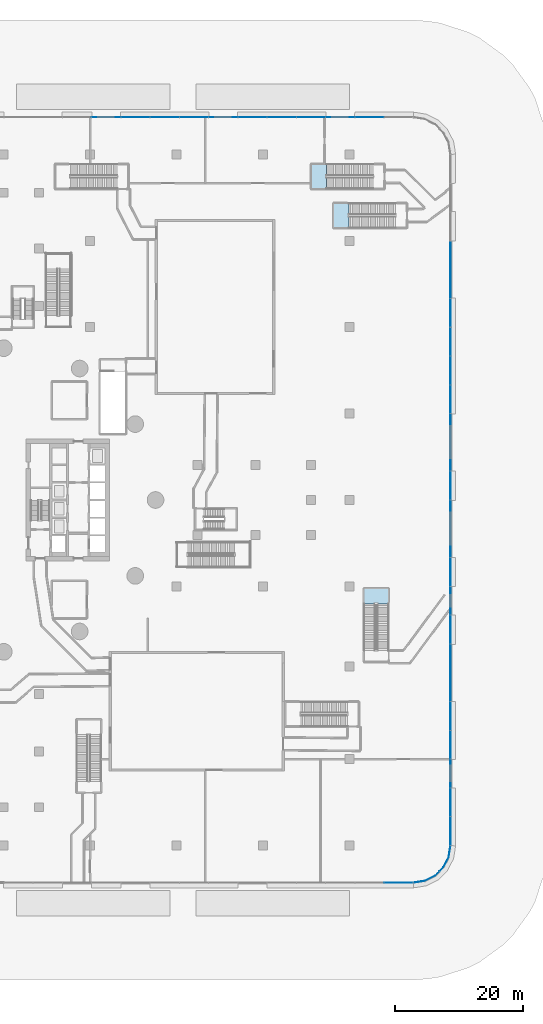
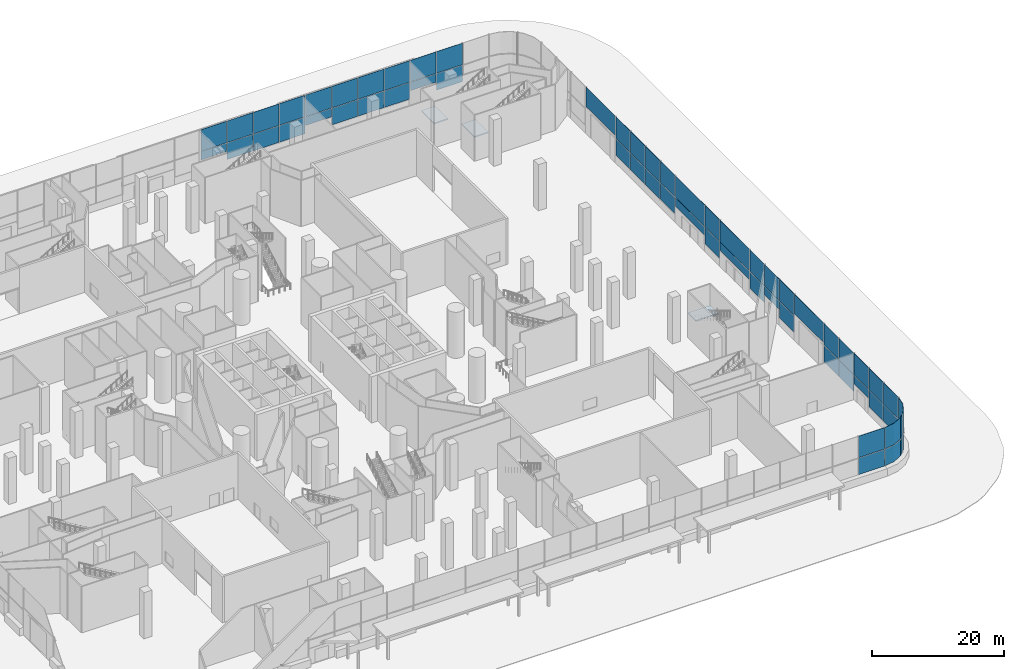
# One storey, part 19 of 54: 58 plates, 3 slabs, 7 elements without a shape of their own.
"""IFC4 building model written with IfcOpenShell, lengths in metres."""

import ifcopenshell
import ifcopenshell.guid

model = None  # the IFC model being written
_history = None  # IfcOwnerHistory: only IFC2X3 demands one
_inside = {}  # id of a spatial element -> (the spatial element, [elements in it])
_under = {}  # id of a project, library or spatial element -> (it, [spatial elements below it])
_declared = {}  # id of a project -> (the project, [libraries it declares])
_typed = {}  # id of a type object -> (the type object, [elements of that type])
_made_of = {}  # id of a material, layer set ... -> (it, [elements and type objects made of it])


def new_model(schema):
    """Start an empty IFC model of exactly this schema.

    Asked for "IFC4X3", IfcOpenShell would pick the latest addendum, in which some entities
    have other attributes; the version numbers below select the first issue.
    IFC2X3 requires an IfcOwnerHistory on every rooted entity: one is made here for all.
    """
    global model, _history
    if schema == "IFC4X3":
        model = ifcopenshell.file(schema_version=(4, 3, 0, 0))
    else:
        model = ifcopenshell.file(schema=schema)
    _inside.clear()
    _under.clear()
    _declared.clear()
    _typed.clear()
    _made_of.clear()
    _history = None
    if model.schema == "IFC2X3":
        org = make("IfcOrganization", Name="unknown")
        user = make(
            "IfcPersonAndOrganization",
            ThePerson=make("IfcPerson", FamilyName="unknown"),
            TheOrganization=org,
        )
        app = make(
            "IfcApplication",
            ApplicationDeveloper=org,
            Version="unknown",
            ApplicationFullName="unknown",
            ApplicationIdentifier="unknown",
        )
        _history = make(
            "IfcOwnerHistory",
            OwningUser=user,
            OwningApplication=app,
            ChangeAction="ADDED",
            CreationDate=0,
        )
    return model


def make(cls, **values):
    """One entity of the class cls with the attributes given. An attribute that is None is left unset."""
    return model.create_entity(
        cls, **{name: value for name, value in values.items() if value is not None}
    )


def rooted(cls, **values):
    """An entity with a GlobalId (a new one), such as an element, a storey or a relation."""
    return make(cls, GlobalId=ifcopenshell.guid.new(), OwnerHistory=_history, **values)


def si_unit(unit_type, name, prefix=None):
    """IfcSIUnit, for example si_unit("LENGTHUNIT", "METRE", prefix="MILLI")."""
    return make("IfcSIUnit", UnitType=unit_type, Prefix=prefix, Name=name)


def assignment(units):
    """IfcUnitAssignment: the units of a project."""
    return None if units is None else make("IfcUnitAssignment", Units=units)


def point(xyz):
    """IfcCartesianPoint."""
    return None if xyz is None else make("IfcCartesianPoint", Coordinates=xyz)


def direction(xyz):
    """IfcDirection."""
    return None if xyz is None else make("IfcDirection", DirectionRatios=xyz)


def frame(location, z_axis=None, x_axis=None):
    """IfcAxis2Placement3D, a coordinate frame: its origin and axes. An axis left out is left unset."""
    return make(
        "IfcAxis2Placement3D",
        Location=point(location),
        Axis=direction(z_axis),
        RefDirection=direction(x_axis),
    )


def origin():
    """The frame at (0, 0, 0) with its axes left unset."""
    return frame((0.0, 0.0, 0.0))


def place(relative_to, where):
    """IfcLocalPlacement: puts the frame where relative to a parent placement (None: the world)."""
    return make(
        "IfcLocalPlacement", PlacementRelTo=relative_to, RelativePlacement=where
    )


def context(
    kind, dimensions, precision=None, world=None, true_north=None, identifier=None
):
    """IfcGeometricRepresentationContext, for example the 3D "Model" context."""
    return make(
        "IfcGeometricRepresentationContext",
        ContextIdentifier=identifier,
        ContextType=kind,
        CoordinateSpaceDimension=dimensions,
        Precision=precision,
        WorldCoordinateSystem=world,
        TrueNorth=true_north,
    )


def subcontext(parent, identifier, kind, view, scale=None):
    """IfcGeometricRepresentationSubContext, for example "Body" below "Model"."""
    return make(
        "IfcGeometricRepresentationSubContext",
        ContextIdentifier=identifier,
        ContextType=kind,
        ParentContext=parent,
        TargetScale=scale,
        TargetView=view,
    )


def project(units=None, contexts=None):
    """IfcProject with its units and contexts."""
    return rooted(
        "IfcProject",
        Name="project",
        RepresentationContexts=contexts,
        UnitsInContext=assignment(units),
    )


def spatial(cls, under=None, at=None, **own):
    """A site, building, storey or space (cls), placed at a placement, below another one or the project."""
    s = rooted(cls, ObjectPlacement=at, **own)
    if under is not None:
        _under.setdefault(under.id(), (under, []))[1].append(s)
    return s


def polyline(points):
    """IfcPolyline through the points."""
    return make("IfcPolyline", Points=[point(p) for p in points])


def outline(outer, holes=None, kind="AREA"):
    """IfcArbitraryClosedProfileDef: a profile drawn as a closed curve; with holes, ...WithVoids."""
    if holes is None:
        return make("IfcArbitraryClosedProfileDef", ProfileType=kind, OuterCurve=outer)
    return make(
        "IfcArbitraryProfileDefWithVoids",
        ProfileType=kind,
        OuterCurve=outer,
        InnerCurves=holes,
    )


def extrude(swept, where, along, depth):
    """IfcExtrudedAreaSolid: the profile swept, set in the frame where, extruded along a direction by depth."""
    return make(
        "IfcExtrudedAreaSolid",
        SweptArea=swept,
        Position=where,
        ExtrudedDirection=direction(along),
        Depth=depth,
    )


def shape(context_of_items, identifier, shape_type, items):
    """IfcShapeRepresentation: the items that make up one representation, for example the "Body"."""
    return make(
        "IfcShapeRepresentation",
        ContextOfItems=context_of_items,
        RepresentationIdentifier=identifier,
        RepresentationType=shape_type,
        Items=items,
    )


def material(Name=None, Category=None):
    """IfcMaterial."""
    return make("IfcMaterial", Name=Name, Category=Category)


def layer(
    of_material, thickness, ventilated=None, Name=None, Category=None, Priority=None
):
    """IfcMaterialLayer: one layer of a wall or slab, of a material (None: an air gap)."""
    return make(
        "IfcMaterialLayer",
        Material=of_material,
        LayerThickness=thickness,
        IsVentilated=ventilated,
        Name=Name,
        Category=Category,
        Priority=Priority,
    )


def layer_set(layers, Name=None):
    """IfcMaterialLayerSet."""
    return make("IfcMaterialLayerSet", MaterialLayers=layers, LayerSetName=Name)


def made_of(thing, what):
    """Note that an element or type object is made of a material, layer set ...; save() writes the relation."""
    if what is not None:
        _made_of.setdefault(what.id(), (what, []))[1].append(thing)
    return thing


def type_object(cls, material=None, **own):
    """A type object (cls), such as IfcWallType, which elements share."""
    return made_of(rooted(cls, **own), material)


def element(
    cls,
    number,
    at=None,
    inside=None,
    cuts=None,
    type_object=None,
    material=None,
    context=None,
    identifier="Body",
    shape_type=None,
    held_by="IfcProductDefinitionShape",
    body=None,
    shapes=None,
    **own,
):
    """One element of the class cls, such as IfcWall. Its Tag is "e" and its number.

    at: its placement. inside: the storey or other place that contains it. cuts: it is an
    opening in that element (IfcRelVoidsElement). A single representation is given by context,
    identifier, shape_type and body (its items); several are given by shapes. held_by: the class
    of the entity that holds the representations. save() writes the other relations.
    """
    e = rooted(cls, Tag="e%d" % number, ObjectPlacement=at, **own)
    if body is not None:
        shapes = [shape(context, identifier, shape_type, body)]
    if shapes is not None:
        e.Representation = make(held_by, Representations=shapes)
    if inside is not None:
        _inside.setdefault(inside.id(), (inside, []))[1].append(e)
    if cuts is not None:
        rooted(
            "IfcRelVoidsElement", RelatingBuildingElement=cuts, RelatedOpeningElement=e
        )
    if type_object is not None:
        _typed.setdefault(type_object.id(), (type_object, []))[1].append(e)
    return made_of(e, material)


def aggregate(whole, parts):
    """IfcRelAggregates: a whole, such as a stair, and the parts it consists of."""
    return rooted("IfcRelAggregates", RelatingObject=whole, RelatedObjects=parts)


def save(model, path):
    """Write the relations noted so far, then the file.

    IfcRelAggregates (storeys below a building ...), IfcRelContainedInSpatialStructure (elements
    in a storey), IfcRelDefinesByType, IfcRelAssociatesMaterial and IfcRelDeclares: one each for
    every whole, place, type object, material and project.
    """
    for whole, parts in _under.values():
        aggregate(whole, parts)
    for where, things in _inside.values():
        rooted(
            "IfcRelContainedInSpatialStructure",
            RelatedElements=things,
            RelatingStructure=where,
        )
    for kind, things in _typed.values():
        rooted("IfcRelDefinesByType", RelatedObjects=things, RelatingType=kind)
    for what, things in _made_of.values():
        rooted("IfcRelAssociatesMaterial", RelatedObjects=things, RelatingMaterial=what)
    for by, libraries in _declared.values():
        rooted("IfcRelDeclares", RelatingContext=by, RelatedDefinitions=libraries)
    model.write(path)


model = new_model("IFC4")

# Units and contexts
model_context = context("Model", 3, precision=1e-05, world=origin(), true_north=direction((0.0, 1.0)))
body_context = subcontext(model_context, "Body", "Model", "MODEL_VIEW")
ifc_project = project(units=[si_unit("LENGTHUNIT", "METRE"), si_unit("AREAUNIT", "SQUARE_METRE"), si_unit("VOLUMEUNIT", "CUBIC_METRE"), si_unit("PLANEANGLEUNIT", "RADIAN"), si_unit("MASSUNIT", "GRAM", prefix="KILO")], contexts=[model_context])

# Site, building, storey
site_placement = place(None, origin())
site = spatial("IfcSite", under=ifc_project, at=site_placement, CompositionType="ELEMENT")
building_placement = place(site_placement, origin())
building = spatial("IfcBuilding", under=site, at=building_placement, Name="Tamarind Cross Interchange Tower", CompositionType="ELEMENT")
storey_placement = place(building_placement, origin())
storey = spatial("IfcBuildingStorey", under=building, at=storey_placement, Name="L00", CompositionType="ELEMENT", Elevation=0.0)

# Stair, slab
ifc_material_1 = material(Name="Public stair")
stair_type = type_object("IfcStairType", Name="Public stair", PredefinedType="HALF_TURN_STAIR", material=ifc_material_1)
stair_1_placement = place(storey_placement, origin())
stair_1 = element("IfcStair", 1, at=stair_1_placement, inside=storey, type_object=stair_type, Name="L00 exit stair XS-P01", PredefinedType="HALF_TURN_STAIR")
ifc_material_2 = material(Name="Concrete C40", Category="concrete")
ifc_layer_1 = layer(ifc_material_2, 0.199951171875)
ifc_layer_set_1 = layer_set([ifc_layer_1], Name="Concrete C40")
slab_type = type_object("IfcSlabType", Name="Public stair landing", PredefinedType="LANDING", material=ifc_layer_set_1)
slab_1_placement = place(storey_placement, frame((0.0, 0.0, 4.300048828125)))
slab_1 = element("IfcSlab", 2, at=slab_1_placement, type_object=slab_type, Name="XS-P01 landing 1", PredefinedType="LANDING", context=body_context, shape_type="SweptSolid", body=[
    extrude(outline(polyline([(50.419921875, 52.5), (48.0, 52.5), (48.0, 48.60009765625), (50.419921875, 48.60009765625), (50.419921875, 52.5)])), origin(), (0.0, 0.0, 1.0), 0.199951171875),
])
aggregate(stair_1, [slab_1])

stair_2_placement = place(storey_placement, origin())
stair_2 = element("IfcStair", 3, at=stair_2_placement, inside=storey, type_object=stair_type, Name="L00 exit stair XS-P02", PredefinedType="HALF_TURN_STAIR")
slab_2_placement = place(storey_placement, frame((0.0, 0.0, 4.300048828125)))
slab_2 = element("IfcSlab", 4, at=slab_2_placement, type_object=slab_type, Name="XS-P02 landing 1", PredefinedType="LANDING", context=body_context, shape_type="SweptSolid", body=[
    extrude(outline(polyline([(53.919921875, 46.39990234375), (51.5, 46.39990234375), (51.5, 42.5), (53.919921875, 42.5), (53.919921875, 46.39990234375)])), origin(), (0.0, 0.0, 1.0), 0.199951171875),
])
aggregate(stair_2, [slab_2])

stair_3_placement = place(storey_placement, origin())
stair_3 = element("IfcStair", 5, at=stair_3_placement, inside=storey, type_object=stair_type, Name="L00 exit stair XS-P11", PredefinedType="HALF_TURN_STAIR")
slab_3_placement = place(storey_placement, frame((0.0, 0.0, 4.300048828125)))
slab_3 = element("IfcSlab", 6, at=slab_3_placement, type_object=slab_type, Name="XS-P11 landing 1", PredefinedType="LANDING", context=body_context, shape_type="SweptSolid", body=[
    extrude(outline(polyline([(60.14990234375, -16.219970703125), (60.14990234375, -13.800048828125), (56.25, -13.800048828125), (56.25, -16.219970703125), (60.14990234375, -16.219970703125)])), origin(), (0.0, 0.0, 1.0), 0.199951171875),
])
aggregate(stair_3, [slab_3])

# Curtain wall, plates
ifc_material_3 = material(Name="Aluminium 6063-T6", Category="aluminium")
ifc_layer_2 = layer(ifc_material_3, 0.199951171875)
ifc_layer_set_2 = layer_set([ifc_layer_2], Name="Aluminium 6063-T6")
curtain_wall_type = type_object("IfcCurtainWallType", Name="Podium shopfront and station curtain wall", PredefinedType="NOTDEFINED", material=ifc_layer_set_2)
curtain_wall_1_placement = place(storey_placement, origin())
curtain_wall_1 = element("IfcCurtainWall", 7, at=curtain_wall_1_placement, inside=storey, type_object=curtain_wall_type, Name="CWS-L00-00", PredefinedType="NOTDEFINED")
ifc_material_4 = material(Name="Toughened low-e glass 10+12+10", Category="glass")
ifc_layer_3 = layer(ifc_material_4, 0.031982421875)
ifc_layer_set_3 = layer_set([ifc_layer_3], Name="Toughened low-e glass 10+12+10")
plate_type = type_object("IfcPlateType", Name="Vision panel CW3", PredefinedType="CURTAIN_PANEL", material=ifc_layer_set_3)
plate_1_placement = place(storey_placement, frame((0.0, 0.0, 1.39990234375)))
plate_1 = element("IfcPlate", 8, at=plate_1_placement, type_object=plate_type, Name="CWP-L00-00-00-0", PredefinedType="CURTAIN_PANEL", context=body_context, shape_type="SweptSolid", body=[
    extrude(outline(polyline([(69.783935546875, -53.9443359375), (69.783935546875, -49.525634765625), (69.81591796875, -49.525634765625), (69.81591796875, -53.9443359375), (69.783935546875, -53.9443359375)])), origin(), (0.0, 0.0, 1.0), 3.070068359375),
])
plate_2_placement = place(storey_placement, frame((0.0, 0.0, 4.530029296875)))
plate_2 = element("IfcPlate", 9, at=plate_2_placement, type_object=plate_type, Name="CWP-L00-00-00-1", PredefinedType="CURTAIN_PANEL", context=body_context, shape_type="SweptSolid", body=[
    extrude(outline(polyline([(69.783935546875, -53.9443359375), (69.783935546875, -49.525634765625), (69.81591796875, -49.525634765625), (69.81591796875, -53.9443359375), (69.783935546875, -53.9443359375)])), origin(), (0.0, 0.0, 1.0), 3.969970703125),
])
plate_3_placement = place(storey_placement, frame((0.0, 0.0, 1.39990234375)))
plate_3 = element("IfcPlate", 10, at=plate_3_placement, type_object=plate_type, Name="CWP-L00-00-01-0", PredefinedType="CURTAIN_PANEL", context=body_context, shape_type="SweptSolid", body=[
    extrude(outline(polyline([(69.783935546875, -49.445556640625), (69.783935546875, -45.02685546875), (69.81591796875, -45.02685546875), (69.81591796875, -49.445556640625), (69.783935546875, -49.445556640625)])), origin(), (0.0, 0.0, 1.0), 3.070068359375),
])
plate_4_placement = place(storey_placement, frame((0.0, 0.0, 4.530029296875)))
plate_4 = element("IfcPlate", 11, at=plate_4_placement, type_object=plate_type, Name="CWP-L00-00-01-1", PredefinedType="CURTAIN_PANEL", context=body_context, shape_type="SweptSolid", body=[
    extrude(outline(polyline([(69.783935546875, -49.445556640625), (69.783935546875, -45.02685546875), (69.81591796875, -45.02685546875), (69.81591796875, -49.445556640625), (69.783935546875, -49.445556640625)])), origin(), (0.0, 0.0, 1.0), 3.969970703125),
])
plate_5_placement = place(storey_placement, frame((0.0, 0.0, 2.89990234375)))
plate_5 = element("IfcPlate", 12, at=plate_5_placement, type_object=plate_type, Name="CWP-L00-00-02-0", PredefinedType="CURTAIN_PANEL", context=body_context, shape_type="SweptSolid", body=[
    extrude(outline(polyline([(69.783935546875, -44.94677734375), (69.783935546875, -40.528076171875), (69.81591796875, -40.528076171875), (69.81591796875, -44.94677734375), (69.783935546875, -44.94677734375)])), origin(), (0.0, 0.0, 1.0), 1.570068359375),
])
plate_6_placement = place(storey_placement, frame((0.0, 0.0, 4.530029296875)))
plate_6 = element("IfcPlate", 13, at=plate_6_placement, type_object=plate_type, Name="CWP-L00-00-02-1", PredefinedType="CURTAIN_PANEL", context=body_context, shape_type="SweptSolid", body=[
    extrude(outline(polyline([(69.783935546875, -44.94677734375), (69.783935546875, -40.528076171875), (69.81591796875, -40.528076171875), (69.81591796875, -44.94677734375), (69.783935546875, -44.94677734375)])), origin(), (0.0, 0.0, 1.0), 3.969970703125),
])
plate_7_placement = place(storey_placement, frame((0.0, 0.0, 1.39990234375)))
plate_7 = element("IfcPlate", 14, at=plate_7_placement, type_object=plate_type, Name="CWP-L00-00-03-0", PredefinedType="CURTAIN_PANEL", context=body_context, shape_type="SweptSolid", body=[
    extrude(outline(polyline([(69.783935546875, -40.4482421875), (69.783935546875, -36.029541015625), (69.81591796875, -36.029541015625), (69.81591796875, -40.4482421875), (69.783935546875, -40.4482421875)])), origin(), (0.0, 0.0, 1.0), 3.070068359375),
])
plate_8_placement = place(storey_placement, frame((0.0, 0.0, 4.530029296875)))
plate_8 = element("IfcPlate", 15, at=plate_8_placement, type_object=plate_type, Name="CWP-L00-00-03-1", PredefinedType="CURTAIN_PANEL", context=body_context, shape_type="SweptSolid", body=[
    extrude(outline(polyline([(69.783935546875, -40.4482421875), (69.783935546875, -36.029541015625), (69.81591796875, -36.029541015625), (69.81591796875, -40.4482421875), (69.783935546875, -40.4482421875)])), origin(), (0.0, 0.0, 1.0), 3.969970703125),
])
plate_9_placement = place(storey_placement, frame((0.0, 0.0, 1.39990234375)))
plate_9 = element("IfcPlate", 16, at=plate_9_placement, type_object=plate_type, Name="CWP-L00-00-04-0", PredefinedType="CURTAIN_PANEL", context=body_context, shape_type="SweptSolid", body=[
    extrude(outline(polyline([(69.783935546875, -35.949462890625), (69.783935546875, -31.53076171875), (69.81591796875, -31.53076171875), (69.81591796875, -35.949462890625), (69.783935546875, -35.949462890625)])), origin(), (0.0, 0.0, 1.0), 3.070068359375),
])
plate_10_placement = place(storey_placement, frame((0.0, 0.0, 4.530029296875)))
plate_10 = element("IfcPlate", 17, at=plate_10_placement, type_object=plate_type, Name="CWP-L00-00-04-1", PredefinedType="CURTAIN_PANEL", context=body_context, shape_type="SweptSolid", body=[
    extrude(outline(polyline([(69.783935546875, -35.949462890625), (69.783935546875, -31.53076171875), (69.81591796875, -31.53076171875), (69.81591796875, -35.949462890625), (69.783935546875, -35.949462890625)])), origin(), (0.0, 0.0, 1.0), 3.969970703125),
])
plate_11_placement = place(storey_placement, frame((0.0, 0.0, 4.89990234375)))
plate_11 = element("IfcPlate", 18, at=plate_11_placement, type_object=plate_type, Name="CWP-L00-00-05", PredefinedType="CURTAIN_PANEL", context=body_context, shape_type="SweptSolid", body=[
    extrude(outline(polyline([(69.783935546875, -31.450927734375), (69.783935546875, -22.533447265625), (69.81591796875, -22.533447265625), (69.81591796875, -31.450927734375), (69.783935546875, -31.450927734375)])), origin(), (0.0, 0.0, 1.0), 3.60009765625),
])
plate_12_placement = place(storey_placement, frame((0.0, 0.0, 1.39990234375)))
plate_12 = element("IfcPlate", 19, at=plate_12_placement, type_object=plate_type, Name="CWP-L00-00-07-0", PredefinedType="CURTAIN_PANEL", context=body_context, shape_type="SweptSolid", body=[
    extrude(outline(polyline([(69.783935546875, -22.453369140625), (69.783935546875, -18.03466796875), (69.81591796875, -18.03466796875), (69.81591796875, -22.453369140625), (69.783935546875, -22.453369140625)])), origin(), (0.0, 0.0, 1.0), 3.070068359375),
])
plate_13_placement = place(storey_placement, frame((0.0, 0.0, 4.530029296875)))
plate_13 = element("IfcPlate", 20, at=plate_13_placement, type_object=plate_type, Name="CWP-L00-00-07-1", PredefinedType="CURTAIN_PANEL", context=body_context, shape_type="SweptSolid", body=[
    extrude(outline(polyline([(69.783935546875, -22.453369140625), (69.783935546875, -18.03466796875), (69.81591796875, -18.03466796875), (69.81591796875, -22.453369140625), (69.783935546875, -22.453369140625)])), origin(), (0.0, 0.0, 1.0), 3.969970703125),
])
plate_14_placement = place(storey_placement, frame((0.0, 0.0, 2.89990234375)))
plate_14 = element("IfcPlate", 21, at=plate_14_placement, type_object=plate_type, Name="CWP-L00-00-08-0", PredefinedType="CURTAIN_PANEL", context=body_context, shape_type="SweptSolid", body=[
    extrude(outline(polyline([(69.783935546875, -17.954833984375), (69.783935546875, -13.5361328125), (69.81591796875, -13.5361328125), (69.81591796875, -17.954833984375), (69.783935546875, -17.954833984375)])), origin(), (0.0, 0.0, 1.0), 1.570068359375),
])
plate_15_placement = place(storey_placement, frame((0.0, 0.0, 4.530029296875)))
plate_15 = element("IfcPlate", 22, at=plate_15_placement, type_object=plate_type, Name="CWP-L00-00-08-1", PredefinedType="CURTAIN_PANEL", context=body_context, shape_type="SweptSolid", body=[
    extrude(outline(polyline([(69.783935546875, -17.954833984375), (69.783935546875, -13.5361328125), (69.81591796875, -13.5361328125), (69.81591796875, -17.954833984375), (69.783935546875, -17.954833984375)])), origin(), (0.0, 0.0, 1.0), 3.969970703125),
])
plate_16_placement = place(storey_placement, frame((0.0, 0.0, 1.39990234375)))
plate_16 = element("IfcPlate", 23, at=plate_16_placement, type_object=plate_type, Name="CWP-L00-00-09-0", PredefinedType="CURTAIN_PANEL", context=body_context, shape_type="SweptSolid", body=[
    extrude(outline(polyline([(69.783935546875, -13.4560546875), (69.783935546875, -9.037353515625), (69.81591796875, -9.037353515625), (69.81591796875, -13.4560546875), (69.783935546875, -13.4560546875)])), origin(), (0.0, 0.0, 1.0), 3.070068359375),
])
plate_17_placement = place(storey_placement, frame((0.0, 0.0, 4.530029296875)))
plate_17 = element("IfcPlate", 24, at=plate_17_placement, type_object=plate_type, Name="CWP-L00-00-09-1", PredefinedType="CURTAIN_PANEL", context=body_context, shape_type="SweptSolid", body=[
    extrude(outline(polyline([(69.783935546875, -13.4560546875), (69.783935546875, -9.037353515625), (69.81591796875, -9.037353515625), (69.81591796875, -13.4560546875), (69.783935546875, -13.4560546875)])), origin(), (0.0, 0.0, 1.0), 3.969970703125),
])
plate_18_placement = place(storey_placement, frame((0.0, 0.0, 2.89990234375)))
plate_18 = element("IfcPlate", 25, at=plate_18_placement, type_object=plate_type, Name="CWP-L00-00-10-0", PredefinedType="CURTAIN_PANEL", context=body_context, shape_type="SweptSolid", body=[
    extrude(outline(polyline([(69.783935546875, -8.957275390625), (69.783935546875, -0.0400390625), (69.81591796875, -0.0400390625), (69.81591796875, -8.957275390625), (69.783935546875, -8.957275390625)])), origin(), (0.0, 0.0, 1.0), 1.570068359375),
])
plate_19_placement = place(storey_placement, frame((0.0, 0.0, 4.530029296875)))
plate_19 = element("IfcPlate", 26, at=plate_19_placement, type_object=plate_type, Name="CWP-L00-00-10-1", PredefinedType="CURTAIN_PANEL", context=body_context, shape_type="SweptSolid", body=[
    extrude(outline(polyline([(69.783935546875, -8.957275390625), (69.783935546875, -0.0400390625), (69.81591796875, -0.0400390625), (69.81591796875, -8.957275390625), (69.783935546875, -8.957275390625)])), origin(), (0.0, 0.0, 1.0), 3.969970703125),
])
plate_20_placement = place(storey_placement, frame((0.0, 0.0, 1.39990234375)))
plate_20 = element("IfcPlate", 27, at=plate_20_placement, type_object=plate_type, Name="CWP-L00-00-12-0", PredefinedType="CURTAIN_PANEL", context=body_context, shape_type="SweptSolid", body=[
    extrude(outline(polyline([(69.783935546875, 0.0400390625), (69.783935546875, 4.458740234375), (69.81591796875, 4.458740234375), (69.81591796875, 0.0400390625), (69.783935546875, 0.0400390625)])), origin(), (0.0, 0.0, 1.0), 3.070068359375),
])
plate_21_placement = place(storey_placement, frame((0.0, 0.0, 4.530029296875)))
plate_21 = element("IfcPlate", 28, at=plate_21_placement, type_object=plate_type, Name="CWP-L00-00-12-1", PredefinedType="CURTAIN_PANEL", context=body_context, shape_type="SweptSolid", body=[
    extrude(outline(polyline([(69.783935546875, 0.0400390625), (69.783935546875, 4.458740234375), (69.81591796875, 4.458740234375), (69.81591796875, 0.0400390625), (69.783935546875, 0.0400390625)])), origin(), (0.0, 0.0, 1.0), 3.969970703125),
])
plate_22_placement = place(storey_placement, frame((0.0, 0.0, 2.89990234375)))
plate_22 = element("IfcPlate", 29, at=plate_22_placement, type_object=plate_type, Name="CWP-L00-00-13-0", PredefinedType="CURTAIN_PANEL", context=body_context, shape_type="SweptSolid", body=[
    extrude(outline(polyline([(69.783935546875, 4.53857421875), (69.783935546875, 13.4560546875), (69.81591796875, 13.4560546875), (69.81591796875, 4.53857421875), (69.783935546875, 4.53857421875)])), origin(), (0.0, 0.0, 1.0), 1.570068359375),
])
plate_23_placement = place(storey_placement, frame((0.0, 0.0, 4.530029296875)))
plate_23 = element("IfcPlate", 30, at=plate_23_placement, type_object=plate_type, Name="CWP-L00-00-13-1", PredefinedType="CURTAIN_PANEL", context=body_context, shape_type="SweptSolid", body=[
    extrude(outline(polyline([(69.783935546875, 4.53857421875), (69.783935546875, 13.4560546875), (69.81591796875, 13.4560546875), (69.81591796875, 4.53857421875), (69.783935546875, 4.53857421875)])), origin(), (0.0, 0.0, 1.0), 3.969970703125),
])
plate_24_placement = place(storey_placement, frame((0.0, 0.0, 1.39990234375)))
plate_24 = element("IfcPlate", 31, at=plate_24_placement, type_object=plate_type, Name="CWP-L00-00-15-0", PredefinedType="CURTAIN_PANEL", context=body_context, shape_type="SweptSolid", body=[
    extrude(outline(polyline([(69.783935546875, 13.5361328125), (69.783935546875, 17.954833984375), (69.81591796875, 17.954833984375), (69.81591796875, 13.5361328125), (69.783935546875, 13.5361328125)])), origin(), (0.0, 0.0, 1.0), 3.070068359375),
])
plate_25_placement = place(storey_placement, frame((0.0, 0.0, 4.530029296875)))
plate_25 = element("IfcPlate", 32, at=plate_25_placement, type_object=plate_type, Name="CWP-L00-00-15-1", PredefinedType="CURTAIN_PANEL", context=body_context, shape_type="SweptSolid", body=[
    extrude(outline(polyline([(69.783935546875, 13.5361328125), (69.783935546875, 17.954833984375), (69.81591796875, 17.954833984375), (69.81591796875, 13.5361328125), (69.783935546875, 13.5361328125)])), origin(), (0.0, 0.0, 1.0), 3.969970703125),
])
plate_26_placement = place(storey_placement, frame((0.0, 0.0, 1.39990234375)))
plate_26 = element("IfcPlate", 33, at=plate_26_placement, type_object=plate_type, Name="CWP-L00-00-16-0", PredefinedType="CURTAIN_PANEL", context=body_context, shape_type="SweptSolid", body=[
    extrude(outline(polyline([(69.783935546875, 18.03466796875), (69.783935546875, 22.453369140625), (69.81591796875, 22.453369140625), (69.81591796875, 18.03466796875), (69.783935546875, 18.03466796875)])), origin(), (0.0, 0.0, 1.0), 3.070068359375),
])
plate_27_placement = place(storey_placement, frame((0.0, 0.0, 4.530029296875)))
plate_27 = element("IfcPlate", 34, at=plate_27_placement, type_object=plate_type, Name="CWP-L00-00-16-1", PredefinedType="CURTAIN_PANEL", context=body_context, shape_type="SweptSolid", body=[
    extrude(outline(polyline([(69.783935546875, 18.03466796875), (69.783935546875, 22.453369140625), (69.81591796875, 22.453369140625), (69.81591796875, 18.03466796875), (69.783935546875, 18.03466796875)])), origin(), (0.0, 0.0, 1.0), 3.969970703125),
])
plate_28_placement = place(storey_placement, frame((0.0, 0.0, 1.39990234375)))
plate_28 = element("IfcPlate", 35, at=plate_28_placement, type_object=plate_type, Name="CWP-L00-00-17-0", PredefinedType="CURTAIN_PANEL", context=body_context, shape_type="SweptSolid", body=[
    extrude(outline(polyline([(69.783935546875, 22.533447265625), (69.783935546875, 26.9521484375), (69.81591796875, 26.9521484375), (69.81591796875, 22.533447265625), (69.783935546875, 22.533447265625)])), origin(), (0.0, 0.0, 1.0), 3.070068359375),
])
plate_29_placement = place(storey_placement, frame((0.0, 0.0, 4.530029296875)))
plate_29 = element("IfcPlate", 36, at=plate_29_placement, type_object=plate_type, Name="CWP-L00-00-17-1", PredefinedType="CURTAIN_PANEL", context=body_context, shape_type="SweptSolid", body=[
    extrude(outline(polyline([(69.783935546875, 22.533447265625), (69.783935546875, 26.9521484375), (69.81591796875, 26.9521484375), (69.81591796875, 22.533447265625), (69.783935546875, 22.533447265625)])), origin(), (0.0, 0.0, 1.0), 3.969970703125),
])
plate_30_placement = place(storey_placement, frame((0.0, 0.0, 1.39990234375)))
plate_30 = element("IfcPlate", 37, at=plate_30_placement, type_object=plate_type, Name="CWP-L00-00-18-0", PredefinedType="CURTAIN_PANEL", context=body_context, shape_type="SweptSolid", body=[
    extrude(outline(polyline([(69.783935546875, 27.0322265625), (69.783935546875, 31.450927734375), (69.81591796875, 31.450927734375), (69.81591796875, 27.0322265625), (69.783935546875, 27.0322265625)])), origin(), (0.0, 0.0, 1.0), 3.070068359375),
])
plate_31_placement = place(storey_placement, frame((0.0, 0.0, 4.530029296875)))
plate_31 = element("IfcPlate", 38, at=plate_31_placement, type_object=plate_type, Name="CWP-L00-00-18-1", PredefinedType="CURTAIN_PANEL", context=body_context, shape_type="SweptSolid", body=[
    extrude(outline(polyline([(69.783935546875, 27.0322265625), (69.783935546875, 31.450927734375), (69.81591796875, 31.450927734375), (69.81591796875, 27.0322265625), (69.783935546875, 27.0322265625)])), origin(), (0.0, 0.0, 1.0), 3.969970703125),
])
plate_32_placement = place(storey_placement, frame((0.0, 0.0, 4.89990234375)))
plate_32 = element("IfcPlate", 39, at=plate_32_placement, type_object=plate_type, Name="CWP-L00-00-19", PredefinedType="CURTAIN_PANEL", context=body_context, shape_type="SweptSolid", body=[
    extrude(outline(polyline([(69.783935546875, 31.53076171875), (69.783935546875, 40.4482421875), (69.81591796875, 40.4482421875), (69.81591796875, 31.53076171875), (69.783935546875, 31.53076171875)])), origin(), (0.0, 0.0, 1.0), 3.60009765625),
])
aggregate(curtain_wall_1, [plate_1, plate_2, plate_3, plate_4, plate_5, plate_6, plate_7, plate_8, plate_9, plate_10, plate_11, plate_12, plate_13, plate_14, plate_15, plate_16, plate_17, plate_18, plate_19, plate_20, plate_21, plate_22, plate_23, plate_24, plate_25, plate_26, plate_27, plate_28, plate_29, plate_30, plate_31, plate_32])

curtain_wall_2_placement = place(storey_placement, origin())
curtain_wall_2 = element("IfcCurtainWall", 40, at=curtain_wall_2_placement, inside=storey, type_object=curtain_wall_type, Name="CWS-L00-02", PredefinedType="NOTDEFINED")
plate_33_placement = place(storey_placement, frame((0.0, 0.0, 1.39990234375)))
plate_33 = element("IfcPlate", 41, at=plate_33_placement, type_object=plate_type, Name="CWP-L00-02-01-0", PredefinedType="CURTAIN_PANEL", context=body_context, shape_type="SweptSolid", body=[
    extrude(outline(polyline([(59.3740234375, 59.783935546875), (54.883544921875, 59.783935546875), (54.883544921875, 59.81591796875), (59.3740234375, 59.81591796875), (59.3740234375, 59.783935546875)])), origin(), (0.0, 0.0, 1.0), 3.070068359375),
])
plate_34_placement = place(storey_placement, frame((0.0, 0.0, 4.530029296875)))
plate_34 = element("IfcPlate", 42, at=plate_34_placement, type_object=plate_type, Name="CWP-L00-02-01-1", PredefinedType="CURTAIN_PANEL", context=body_context, shape_type="SweptSolid", body=[
    extrude(outline(polyline([(59.3740234375, 59.783935546875), (54.883544921875, 59.783935546875), (54.883544921875, 59.81591796875), (59.3740234375, 59.81591796875), (59.3740234375, 59.783935546875)])), origin(), (0.0, 0.0, 1.0), 3.969970703125),
])
plate_35_placement = place(storey_placement, frame((0.0, 0.0, 2.89990234375)))
plate_35 = element("IfcPlate", 43, at=plate_35_placement, type_object=plate_type, Name="CWP-L00-02-02-0", PredefinedType="CURTAIN_PANEL", context=body_context, shape_type="SweptSolid", body=[
    extrude(outline(polyline([(54.8037109375, 59.783935546875), (50.313232421875, 59.783935546875), (50.313232421875, 59.81591796875), (54.8037109375, 59.81591796875), (54.8037109375, 59.783935546875)])), origin(), (0.0, 0.0, 1.0), 1.570068359375),
])
plate_36_placement = place(storey_placement, frame((0.0, 0.0, 4.530029296875)))
plate_36 = element("IfcPlate", 44, at=plate_36_placement, type_object=plate_type, Name="CWP-L00-02-02-1", PredefinedType="CURTAIN_PANEL", context=body_context, shape_type="SweptSolid", body=[
    extrude(outline(polyline([(54.8037109375, 59.783935546875), (50.313232421875, 59.783935546875), (50.313232421875, 59.81591796875), (54.8037109375, 59.81591796875), (54.8037109375, 59.783935546875)])), origin(), (0.0, 0.0, 1.0), 3.969970703125),
])
plate_37_placement = place(storey_placement, frame((0.0, 0.0, 1.39990234375)))
plate_37 = element("IfcPlate", 45, at=plate_37_placement, type_object=plate_type, Name="CWP-L00-02-03-0", PredefinedType="CURTAIN_PANEL", context=body_context, shape_type="SweptSolid", body=[
    extrude(outline(polyline([(50.2333984375, 59.783935546875), (45.7431640625, 59.783935546875), (45.7431640625, 59.81591796875), (50.2333984375, 59.81591796875), (50.2333984375, 59.783935546875)])), origin(), (0.0, 0.0, 1.0), 3.070068359375),
])
plate_38_placement = place(storey_placement, frame((0.0, 0.0, 4.530029296875)))
plate_38 = element("IfcPlate", 46, at=plate_38_placement, type_object=plate_type, Name="CWP-L00-02-03-1", PredefinedType="CURTAIN_PANEL", context=body_context, shape_type="SweptSolid", body=[
    extrude(outline(polyline([(50.2333984375, 59.783935546875), (45.7431640625, 59.783935546875), (45.7431640625, 59.81591796875), (50.2333984375, 59.81591796875), (50.2333984375, 59.783935546875)])), origin(), (0.0, 0.0, 1.0), 3.969970703125),
])
plate_39_placement = place(storey_placement, frame((0.0, 0.0, 1.39990234375)))
plate_39 = element("IfcPlate", 47, at=plate_39_placement, type_object=plate_type, Name="CWP-L00-02-04-0", PredefinedType="CURTAIN_PANEL", context=body_context, shape_type="SweptSolid", body=[
    extrude(outline(polyline([(45.6630859375, 59.783935546875), (41.1728515625, 59.783935546875), (41.1728515625, 59.81591796875), (45.6630859375, 59.81591796875), (45.6630859375, 59.783935546875)])), origin(), (0.0, 0.0, 1.0), 3.070068359375),
])
plate_40_placement = place(storey_placement, frame((0.0, 0.0, 4.530029296875)))
plate_40 = element("IfcPlate", 48, at=plate_40_placement, type_object=plate_type, Name="CWP-L00-02-04-1", PredefinedType="CURTAIN_PANEL", context=body_context, shape_type="SweptSolid", body=[
    extrude(outline(polyline([(45.6630859375, 59.783935546875), (41.1728515625, 59.783935546875), (41.1728515625, 59.81591796875), (45.6630859375, 59.81591796875), (45.6630859375, 59.783935546875)])), origin(), (0.0, 0.0, 1.0), 3.969970703125),
])
plate_41_placement = place(storey_placement, frame((0.0, 0.0, 1.39990234375)))
plate_41 = element("IfcPlate", 49, at=plate_41_placement, type_object=plate_type, Name="CWP-L00-02-05-0", PredefinedType="CURTAIN_PANEL", context=body_context, shape_type="SweptSolid", body=[
    extrude(outline(polyline([(41.0927734375, 59.783935546875), (36.6025390625, 59.783935546875), (36.6025390625, 59.81591796875), (41.0927734375, 59.81591796875), (41.0927734375, 59.783935546875)])), origin(), (0.0, 0.0, 1.0), 3.070068359375),
])
plate_42_placement = place(storey_placement, frame((0.0, 0.0, 4.530029296875)))
plate_42 = element("IfcPlate", 50, at=plate_42_placement, type_object=plate_type, Name="CWP-L00-02-05-1", PredefinedType="CURTAIN_PANEL", context=body_context, shape_type="SweptSolid", body=[
    extrude(outline(polyline([(41.0927734375, 59.783935546875), (36.6025390625, 59.783935546875), (36.6025390625, 59.81591796875), (41.0927734375, 59.81591796875), (41.0927734375, 59.783935546875)])), origin(), (0.0, 0.0, 1.0), 3.969970703125),
])
plate_43_placement = place(storey_placement, frame((0.0, 0.0, 2.89990234375)))
plate_43 = element("IfcPlate", 51, at=plate_43_placement, type_object=plate_type, Name="CWP-L00-02-06-0", PredefinedType="CURTAIN_PANEL", context=body_context, shape_type="SweptSolid", body=[
    extrude(outline(polyline([(36.5224609375, 59.783935546875), (32.0322265625, 59.783935546875), (32.0322265625, 59.81591796875), (36.5224609375, 59.81591796875), (36.5224609375, 59.783935546875)])), origin(), (0.0, 0.0, 1.0), 1.570068359375),
])
plate_44_placement = place(storey_placement, frame((0.0, 0.0, 4.530029296875)))
plate_44 = element("IfcPlate", 52, at=plate_44_placement, type_object=plate_type, Name="CWP-L00-02-06-1", PredefinedType="CURTAIN_PANEL", context=body_context, shape_type="SweptSolid", body=[
    extrude(outline(polyline([(36.5224609375, 59.783935546875), (32.0322265625, 59.783935546875), (32.0322265625, 59.81591796875), (36.5224609375, 59.81591796875), (36.5224609375, 59.783935546875)])), origin(), (0.0, 0.0, 1.0), 3.969970703125),
])
plate_45_placement = place(storey_placement, frame((0.0, 0.0, 1.39990234375)))
plate_45 = element("IfcPlate", 53, at=plate_45_placement, type_object=plate_type, Name="CWP-L00-02-07-0", PredefinedType="CURTAIN_PANEL", context=body_context, shape_type="SweptSolid", body=[
    extrude(outline(polyline([(31.9521484375, 59.783935546875), (27.4619140625, 59.783935546875), (27.4619140625, 59.81591796875), (31.9521484375, 59.81591796875), (31.9521484375, 59.783935546875)])), origin(), (0.0, 0.0, 1.0), 3.070068359375),
])
plate_46_placement = place(storey_placement, frame((0.0, 0.0, 4.530029296875)))
plate_46 = element("IfcPlate", 54, at=plate_46_placement, type_object=plate_type, Name="CWP-L00-02-07-1", PredefinedType="CURTAIN_PANEL", context=body_context, shape_type="SweptSolid", body=[
    extrude(outline(polyline([(31.9521484375, 59.783935546875), (27.4619140625, 59.783935546875), (27.4619140625, 59.81591796875), (31.9521484375, 59.81591796875), (31.9521484375, 59.783935546875)])), origin(), (0.0, 0.0, 1.0), 3.969970703125),
])
plate_47_placement = place(storey_placement, frame((0.0, 0.0, 1.39990234375)))
plate_47 = element("IfcPlate", 55, at=plate_47_placement, type_object=plate_type, Name="CWP-L00-02-08-0", PredefinedType="CURTAIN_PANEL", context=body_context, shape_type="SweptSolid", body=[
    extrude(outline(polyline([(27.3818359375, 59.783935546875), (22.8916015625, 59.783935546875), (22.8916015625, 59.81591796875), (27.3818359375, 59.81591796875), (27.3818359375, 59.783935546875)])), origin(), (0.0, 0.0, 1.0), 3.070068359375),
])
plate_48_placement = place(storey_placement, frame((0.0, 0.0, 4.530029296875)))
plate_48 = element("IfcPlate", 56, at=plate_48_placement, type_object=plate_type, Name="CWP-L00-02-08-1", PredefinedType="CURTAIN_PANEL", context=body_context, shape_type="SweptSolid", body=[
    extrude(outline(polyline([(27.3818359375, 59.783935546875), (22.8916015625, 59.783935546875), (22.8916015625, 59.81591796875), (27.3818359375, 59.81591796875), (27.3818359375, 59.783935546875)])), origin(), (0.0, 0.0, 1.0), 3.969970703125),
])
plate_49_placement = place(storey_placement, frame((0.0, 0.0, 1.39990234375)))
plate_49 = element("IfcPlate", 57, at=plate_49_placement, type_object=plate_type, Name="CWP-L00-02-09-0", PredefinedType="CURTAIN_PANEL", context=body_context, shape_type="SweptSolid", body=[
    extrude(outline(polyline([(22.8115234375, 59.783935546875), (18.3212890625, 59.783935546875), (18.3212890625, 59.81591796875), (22.8115234375, 59.81591796875), (22.8115234375, 59.783935546875)])), origin(), (0.0, 0.0, 1.0), 3.070068359375),
])
plate_50_placement = place(storey_placement, frame((0.0, 0.0, 4.530029296875)))
plate_50 = element("IfcPlate", 58, at=plate_50_placement, type_object=plate_type, Name="CWP-L00-02-09-1", PredefinedType="CURTAIN_PANEL", context=body_context, shape_type="SweptSolid", body=[
    extrude(outline(polyline([(22.8115234375, 59.783935546875), (18.3212890625, 59.783935546875), (18.3212890625, 59.81591796875), (22.8115234375, 59.81591796875), (22.8115234375, 59.783935546875)])), origin(), (0.0, 0.0, 1.0), 3.969970703125),
])
plate_51_placement = place(storey_placement, frame((0.0, 0.0, 2.89990234375)))
plate_51 = element("IfcPlate", 59, at=plate_51_placement, type_object=plate_type, Name="CWP-L00-02-10-0", PredefinedType="CURTAIN_PANEL", context=body_context, shape_type="SweptSolid", body=[
    extrude(outline(polyline([(18.2412109375, 59.783935546875), (13.7509765625, 59.783935546875), (13.7509765625, 59.81591796875), (18.2412109375, 59.81591796875), (18.2412109375, 59.783935546875)])), origin(), (0.0, 0.0, 1.0), 1.570068359375),
])
plate_52_placement = place(storey_placement, frame((0.0, 0.0, 4.530029296875)))
plate_52 = element("IfcPlate", 60, at=plate_52_placement, type_object=plate_type, Name="CWP-L00-02-10-1", PredefinedType="CURTAIN_PANEL", context=body_context, shape_type="SweptSolid", body=[
    extrude(outline(polyline([(18.2412109375, 59.783935546875), (13.7509765625, 59.783935546875), (13.7509765625, 59.81591796875), (18.2412109375, 59.81591796875), (18.2412109375, 59.783935546875)])), origin(), (0.0, 0.0, 1.0), 3.969970703125),
])
aggregate(curtain_wall_2, [plate_33, plate_34, plate_35, plate_36, plate_37, plate_38, plate_39, plate_40, plate_41, plate_42, plate_43, plate_44, plate_45, plate_46, plate_47, plate_48, plate_49, plate_50, plate_51, plate_52])

curtain_wall_3_placement = place(storey_placement, origin())
curtain_wall_3 = element("IfcCurtainWall", 61, at=curtain_wall_3_placement, inside=storey, type_object=curtain_wall_type, Name="CWS-L00-06", PredefinedType="NOTDEFINED")
plate_53_placement = place(storey_placement, frame((0.0, 0.0, 1.39990234375)))
plate_53 = element("IfcPlate", 62, at=plate_53_placement, type_object=plate_type, Name="CWP-L00-06-27-0", PredefinedType="CURTAIN_PANEL", context=body_context, shape_type="SweptSolid", body=[
    extrude(outline(polyline([(59.453857421875, -59.783935546875), (63.9443359375, -59.783935546875), (63.9443359375, -59.81591796875), (59.453857421875, -59.81591796875), (59.453857421875, -59.783935546875)])), origin(), (0.0, 0.0, 1.0), 3.070068359375),
])
plate_54_placement = place(storey_placement, frame((0.0, 0.0, 4.530029296875)))
plate_54 = element("IfcPlate", 63, at=plate_54_placement, type_object=plate_type, Name="CWP-L00-06-27-1", PredefinedType="CURTAIN_PANEL", context=body_context, shape_type="SweptSolid", body=[
    extrude(outline(polyline([(59.453857421875, -59.783935546875), (63.9443359375, -59.783935546875), (63.9443359375, -59.81591796875), (59.453857421875, -59.81591796875), (59.453857421875, -59.783935546875)])), origin(), (0.0, 0.0, 1.0), 3.969970703125),
])
aggregate(curtain_wall_3, [plate_53, plate_54])

curtain_wall_4_placement = place(storey_placement, origin())
curtain_wall_4 = element("IfcCurtainWall", 64, at=curtain_wall_4_placement, inside=storey, type_object=curtain_wall_type, Name="CWS-L00-07", PredefinedType="NOTDEFINED")
plate_55_placement = place(storey_placement, frame((0.0, 0.0, 1.39990234375)))
plate_55 = element("IfcPlate", 65, at=plate_55_placement, type_object=plate_type, Name="CWP-L00-07-00-0", PredefinedType="CURTAIN_PANEL", context=body_context, shape_type="SweptSolid", body=[
    extrude(outline(polyline([(64.021240234375, -59.77783203125), (65.78662109375, -59.498291015625), (67.398193359375, -58.67724609375), (68.00927734375, -58.06591796875), (68.031982421875, -58.088623046875), (67.417236328125, -58.703369140625), (65.796630859375, -59.529052734375), (64.0263671875, -59.8095703125), (64.021240234375, -59.77783203125)])), origin(), (0.0, 0.0, 1.0), 3.070068359375),
])
plate_56_placement = place(storey_placement, frame((0.0, 0.0, 4.530029296875)))
plate_56 = element("IfcPlate", 66, at=plate_56_placement, type_object=plate_type, Name="CWP-L00-07-00-1", PredefinedType="CURTAIN_PANEL", context=body_context, shape_type="SweptSolid", body=[
    extrude(outline(polyline([(64.021240234375, -59.77783203125), (65.78662109375, -59.498291015625), (67.398193359375, -58.67724609375), (68.00927734375, -58.06591796875), (68.031982421875, -58.088623046875), (67.417236328125, -58.703369140625), (65.796630859375, -59.529052734375), (64.0263671875, -59.8095703125), (64.021240234375, -59.77783203125)])), origin(), (0.0, 0.0, 1.0), 3.969970703125),
])
plate_57_placement = place(storey_placement, frame((0.0, 0.0, 1.39990234375)))
plate_57 = element("IfcPlate", 67, at=plate_57_placement, type_object=plate_type, Name="CWP-L00-07-01-0", PredefinedType="CURTAIN_PANEL", context=body_context, shape_type="SweptSolid", body=[
    extrude(outline(polyline([(68.06591796875, -58.00927734375), (68.67724609375, -57.398193359375), (69.498291015625, -55.78662109375), (69.77783203125, -54.021240234375), (69.8095703125, -54.0263671875), (69.529052734375, -55.796630859375), (68.703369140625, -57.417236328125), (68.088623046875, -58.031982421875), (68.06591796875, -58.00927734375)])), origin(), (0.0, 0.0, 1.0), 3.070068359375),
])
plate_58_placement = place(storey_placement, frame((0.0, 0.0, 4.530029296875)))
plate_58 = element("IfcPlate", 68, at=plate_58_placement, type_object=plate_type, Name="CWP-L00-07-01-1", PredefinedType="CURTAIN_PANEL", context=body_context, shape_type="SweptSolid", body=[
    extrude(outline(polyline([(68.06591796875, -58.00927734375), (68.67724609375, -57.398193359375), (69.498291015625, -55.78662109375), (69.77783203125, -54.021240234375), (69.8095703125, -54.0263671875), (69.529052734375, -55.796630859375), (68.703369140625, -57.417236328125), (68.088623046875, -58.031982421875), (68.06591796875, -58.00927734375)])), origin(), (0.0, 0.0, 1.0), 3.969970703125),
])
aggregate(curtain_wall_4, [plate_55, plate_56, plate_57, plate_58])

save(model, "model.ifc")
